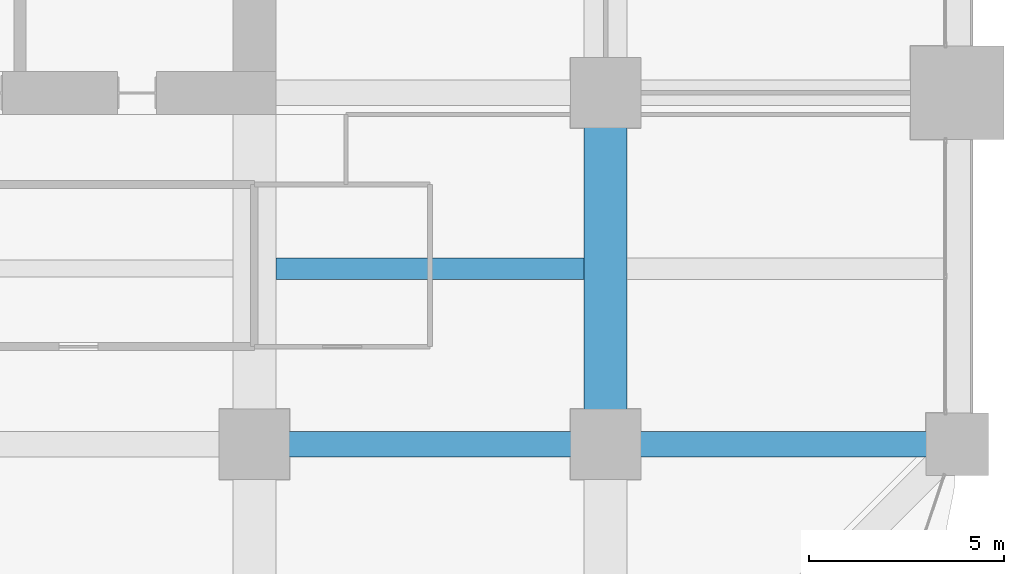
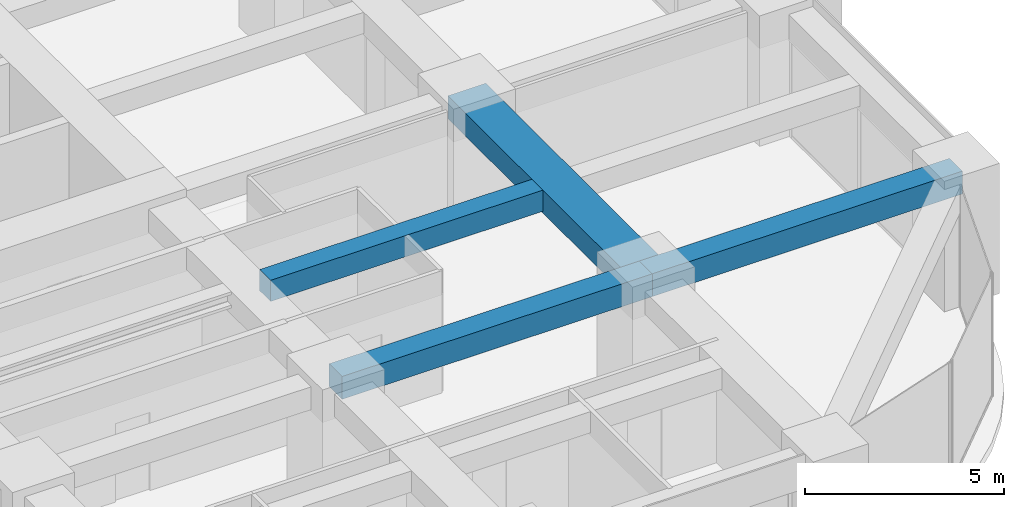
# One storey, part 18 of 40: 4 beams.
"""IFC4 building model written with IfcOpenShell, lengths in metres."""

import ifcopenshell
import ifcopenshell.guid

model = None  # the IFC model being written
_history = None  # IfcOwnerHistory: only IFC2X3 demands one
_inside = {}  # id of a spatial element -> (the spatial element, [elements in it])
_under = {}  # id of a project, library or spatial element -> (it, [spatial elements below it])
_declared = {}  # id of a project -> (the project, [libraries it declares])
_typed = {}  # id of a type object -> (the type object, [elements of that type])
_made_of = {}  # id of a material, layer set ... -> (it, [elements and type objects made of it])


def new_model(schema):
    """Start an empty IFC model of exactly this schema.

    Asked for "IFC4X3", IfcOpenShell would pick the latest addendum, in which some entities
    have other attributes; the version numbers below select the first issue.
    IFC2X3 requires an IfcOwnerHistory on every rooted entity: one is made here for all.
    """
    global model, _history
    if schema == "IFC4X3":
        model = ifcopenshell.file(schema_version=(4, 3, 0, 0))
    else:
        model = ifcopenshell.file(schema=schema)
    _inside.clear()
    _under.clear()
    _declared.clear()
    _typed.clear()
    _made_of.clear()
    _history = None
    if model.schema == "IFC2X3":
        org = make("IfcOrganization", Name="unknown")
        user = make(
            "IfcPersonAndOrganization",
            ThePerson=make("IfcPerson", FamilyName="unknown"),
            TheOrganization=org,
        )
        app = make(
            "IfcApplication",
            ApplicationDeveloper=org,
            Version="unknown",
            ApplicationFullName="unknown",
            ApplicationIdentifier="unknown",
        )
        _history = make(
            "IfcOwnerHistory",
            OwningUser=user,
            OwningApplication=app,
            ChangeAction="ADDED",
            CreationDate=0,
        )
    return model


def make(cls, **values):
    """One entity of the class cls with the attributes given. An attribute that is None is left unset."""
    return model.create_entity(
        cls, **{name: value for name, value in values.items() if value is not None}
    )


def rooted(cls, **values):
    """An entity with a GlobalId (a new one), such as an element, a storey or a relation."""
    return make(cls, GlobalId=ifcopenshell.guid.new(), OwnerHistory=_history, **values)


def si_unit(unit_type, name, prefix=None):
    """IfcSIUnit, for example si_unit("LENGTHUNIT", "METRE", prefix="MILLI")."""
    return make("IfcSIUnit", UnitType=unit_type, Prefix=prefix, Name=name)


def assignment(units):
    """IfcUnitAssignment: the units of a project."""
    return None if units is None else make("IfcUnitAssignment", Units=units)


def point(xyz):
    """IfcCartesianPoint."""
    return None if xyz is None else make("IfcCartesianPoint", Coordinates=xyz)


def direction(xyz):
    """IfcDirection."""
    return None if xyz is None else make("IfcDirection", DirectionRatios=xyz)


def frame(location, z_axis=None, x_axis=None):
    """IfcAxis2Placement3D, a coordinate frame: its origin and axes. An axis left out is left unset."""
    return make(
        "IfcAxis2Placement3D",
        Location=point(location),
        Axis=direction(z_axis),
        RefDirection=direction(x_axis),
    )


def frame_2d(location, x_axis=None):
    """IfcAxis2Placement2D, a coordinate frame in the plane: its origin and x axis."""
    return make(
        "IfcAxis2Placement2D", Location=point(location), RefDirection=direction(x_axis)
    )


def origin():
    """The frame at (0, 0, 0) with its axes left unset."""
    return frame((0.0, 0.0, 0.0))


def origin_2d():
    """The frame at (0, 0) in the plane with its x axis left unset."""
    return frame_2d((0.0, 0.0))


def place(relative_to, where):
    """IfcLocalPlacement: puts the frame where relative to a parent placement (None: the world)."""
    return make(
        "IfcLocalPlacement", PlacementRelTo=relative_to, RelativePlacement=where
    )


def context(
    kind, dimensions, precision=None, world=None, true_north=None, identifier=None
):
    """IfcGeometricRepresentationContext, for example the 3D "Model" context."""
    return make(
        "IfcGeometricRepresentationContext",
        ContextIdentifier=identifier,
        ContextType=kind,
        CoordinateSpaceDimension=dimensions,
        Precision=precision,
        WorldCoordinateSystem=world,
        TrueNorth=true_north,
    )


def subcontext(parent, identifier, kind, view, scale=None):
    """IfcGeometricRepresentationSubContext, for example "Body" below "Model"."""
    return make(
        "IfcGeometricRepresentationSubContext",
        ContextIdentifier=identifier,
        ContextType=kind,
        ParentContext=parent,
        TargetScale=scale,
        TargetView=view,
    )


def project(units=None, contexts=None):
    """IfcProject with its units and contexts."""
    return rooted(
        "IfcProject",
        Name="project",
        RepresentationContexts=contexts,
        UnitsInContext=assignment(units),
    )


def spatial(cls, under=None, at=None, **own):
    """A site, building, storey or space (cls), placed at a placement, below another one or the project."""
    s = rooted(cls, ObjectPlacement=at, **own)
    if under is not None:
        _under.setdefault(under.id(), (under, []))[1].append(s)
    return s


def profile(cls, at=None, kind="AREA", **sizes):
    """A parametric profile (cls). Its sizes go by their IFC names, for example OverallWidth=200.0."""
    return make(cls, ProfileType=kind, Position=at, **sizes)


def rectangle(**sizes):
    """IfcRectangleProfileDef."""
    return profile("IfcRectangleProfileDef", **sizes)


def extrude(swept, where, along, depth):
    """IfcExtrudedAreaSolid: the profile swept, set in the frame where, extruded along a direction by depth."""
    return make(
        "IfcExtrudedAreaSolid",
        SweptArea=swept,
        Position=where,
        ExtrudedDirection=direction(along),
        Depth=depth,
    )


def shape(context_of_items, identifier, shape_type, items):
    """IfcShapeRepresentation: the items that make up one representation, for example the "Body"."""
    return make(
        "IfcShapeRepresentation",
        ContextOfItems=context_of_items,
        RepresentationIdentifier=identifier,
        RepresentationType=shape_type,
        Items=items,
    )


def material(Name=None, Category=None):
    """IfcMaterial."""
    return make("IfcMaterial", Name=Name, Category=Category)


def material_profile(
    of_material, cross_section, Name=None, Category=None, Priority=None
):
    """IfcMaterialProfile: a cross section and its material."""
    return make(
        "IfcMaterialProfile",
        Name=Name,
        Material=of_material,
        Profile=cross_section,
        Priority=Priority,
        Category=Category,
    )


def profile_set(profiles, Name=None, composite=None):
    """IfcMaterialProfileSet."""
    return make(
        "IfcMaterialProfileSet",
        Name=Name,
        MaterialProfiles=profiles,
        CompositeProfile=composite,
    )


def made_of(thing, what):
    """Note that an element or type object is made of a material, layer set ...; save() writes the relation."""
    if what is not None:
        _made_of.setdefault(what.id(), (what, []))[1].append(thing)
    return thing


def type_object(cls, material=None, **own):
    """A type object (cls), such as IfcWallType, which elements share."""
    return made_of(rooted(cls, **own), material)


def element(
    cls,
    number,
    at=None,
    inside=None,
    cuts=None,
    type_object=None,
    material=None,
    context=None,
    identifier="Body",
    shape_type=None,
    held_by="IfcProductDefinitionShape",
    body=None,
    shapes=None,
    **own,
):
    """One element of the class cls, such as IfcWall. Its Tag is "e" and its number.

    at: its placement. inside: the storey or other place that contains it. cuts: it is an
    opening in that element (IfcRelVoidsElement). A single representation is given by context,
    identifier, shape_type and body (its items); several are given by shapes. held_by: the class
    of the entity that holds the representations. save() writes the other relations.
    """
    e = rooted(cls, Tag="e%d" % number, ObjectPlacement=at, **own)
    if body is not None:
        shapes = [shape(context, identifier, shape_type, body)]
    if shapes is not None:
        e.Representation = make(held_by, Representations=shapes)
    if inside is not None:
        _inside.setdefault(inside.id(), (inside, []))[1].append(e)
    if cuts is not None:
        rooted(
            "IfcRelVoidsElement", RelatingBuildingElement=cuts, RelatedOpeningElement=e
        )
    if type_object is not None:
        _typed.setdefault(type_object.id(), (type_object, []))[1].append(e)
    return made_of(e, material)


def aggregate(whole, parts):
    """IfcRelAggregates: a whole, such as a stair, and the parts it consists of."""
    return rooted("IfcRelAggregates", RelatingObject=whole, RelatedObjects=parts)


def save(model, path):
    """Write the relations noted so far, then the file.

    IfcRelAggregates (storeys below a building ...), IfcRelContainedInSpatialStructure (elements
    in a storey), IfcRelDefinesByType, IfcRelAssociatesMaterial and IfcRelDeclares: one each for
    every whole, place, type object, material and project.
    """
    for whole, parts in _under.values():
        aggregate(whole, parts)
    for where, things in _inside.values():
        rooted(
            "IfcRelContainedInSpatialStructure",
            RelatedElements=things,
            RelatingStructure=where,
        )
    for kind, things in _typed.values():
        rooted("IfcRelDefinesByType", RelatedObjects=things, RelatingType=kind)
    for what, things in _made_of.values():
        rooted("IfcRelAssociatesMaterial", RelatedObjects=things, RelatingMaterial=what)
    for by, libraries in _declared.values():
        rooted("IfcRelDeclares", RelatingContext=by, RelatedDefinitions=libraries)
    model.write(path)


model = new_model("IFC4")

# Units and contexts
model_context = context("Model", 3, precision=1e-05, world=origin(), true_north=direction((0.0, 1.0)))
body_context = subcontext(model_context, "Body", "Model", "MODEL_VIEW")
ifc_project = project(units=[si_unit("LENGTHUNIT", "METRE"), si_unit("AREAUNIT", "SQUARE_METRE"), si_unit("VOLUMEUNIT", "CUBIC_METRE"), si_unit("PLANEANGLEUNIT", "RADIAN"), si_unit("MASSUNIT", "GRAM", prefix="KILO")], contexts=[model_context])

# Site, building, storey
site_placement = place(None, origin())
site = spatial("IfcSite", under=ifc_project, at=site_placement, CompositionType="ELEMENT")
building_placement = place(site_placement, origin())
building = spatial("IfcBuilding", under=site, at=building_placement, Name="Zorevar Civic Tower", CompositionType="ELEMENT")
storey_placement = place(building_placement, frame((0.0, 0.0, 133.0)))
storey = spatial("IfcBuildingStorey", under=building, at=storey_placement, Name="L32", CompositionType="ELEMENT", Elevation=133.0)

# Beams
ifc_material_1 = material(Name="Concrete C50/60", Category="concrete")
ifc_material_profile_1 = material_profile(ifc_material_1, rectangle(XDim=1.10009765625, YDim=0.699951171875, at=origin_2d()), Name="RC 1100x700")
ifc_profile_set_1 = profile_set([ifc_material_profile_1], Name="Concrete C50/60")
beam_type_1 = type_object("IfcBeamType", Name="Beam RC 1100x700", PredefinedType="BEAM", material=ifc_profile_set_1)
beam_1_placement = place(storey_placement, frame((54.0, 9.0, 3.39990234375), z_axis=(0.0, 1.0, 0.0), x_axis=(-1.0, 0.0, 0.0)))
element("IfcBeam", 1, at=beam_1_placement, inside=storey, type_object=beam_type_1, Name="Girder L33", PredefinedType="BEAM", context=body_context, shape_type="SweptSolid", body=[
    extrude(rectangle(XDim=1.10009765625, YDim=0.699951171875, at=origin_2d()), origin(), (0.0, 0.0, 1.0), 9.0),
])
ifc_material_2 = material(Name="Concrete C50/60", Category="concrete")
ifc_material_profile_2 = material_profile(ifc_material_2, rectangle(XDim=0.550048828125, YDim=0.64990234375, at=origin_2d()), Name="RC 550x650")
ifc_profile_set_2 = profile_set([ifc_material_profile_2], Name="Concrete C50/60")
beam_type_2 = type_object("IfcBeamType", Name="Beam RC 550x650", PredefinedType="BEAM", material=ifc_profile_set_2)
beam_2_placement = place(storey_placement, frame((45.550048828125, 13.5, 3.425048828125), z_axis=(1.0, 0.0, 0.0), x_axis=(0.0, 1.0, 0.0)))
element("IfcBeam", 2, at=beam_2_placement, inside=storey, type_object=beam_type_2, Name="Secondary beam L33", PredefinedType="BEAM", context=body_context, shape_type="SweptSolid", body=[
    extrude(rectangle(XDim=0.550048828125, YDim=0.64990234375, at=origin_2d()), origin(), (0.0, 0.0, 1.0), 7.89990234375),
])
ifc_material_3 = material(Name="Concrete C50/60", Category="concrete")
ifc_material_profile_3 = material_profile(ifc_material_3, rectangle(XDim=0.64990234375, YDim=0.699951171875, at=origin_2d()), Name="RC 650x700")
ifc_profile_set_3 = profile_set([ifc_material_profile_3], Name="Concrete C50/60")
beam_type_3 = type_object("IfcBeamType", Name="Beam RC 650x700", PredefinedType="BEAM", material=ifc_profile_set_3)
for number, where, z_axis, x_axis, name in (
    (3, (45.0, 9.0, 3.39990234375), (1.0, 0.0, 0.0), (0.0, 1.0, 0.0), "Girder L33"),
    (4, (54.0, 9.0, 3.39990234375), (1.0, 0.0, 0.0), (0.0, 1.0, 0.0), "Girder L33"),
):
    element("IfcBeam", number, at=place(storey_placement, frame(where, z_axis=z_axis, x_axis=x_axis)), inside=storey, type_object=beam_type_3, Name=name, PredefinedType="BEAM", context=body_context, shape_type="SweptSolid", body=[
        extrude(rectangle(XDim=0.64990234375, YDim=0.699951171875, at=origin_2d()), origin(), (0.0, 0.0, 1.0), 9.0),
    ])

save(model, "model.ifc")
